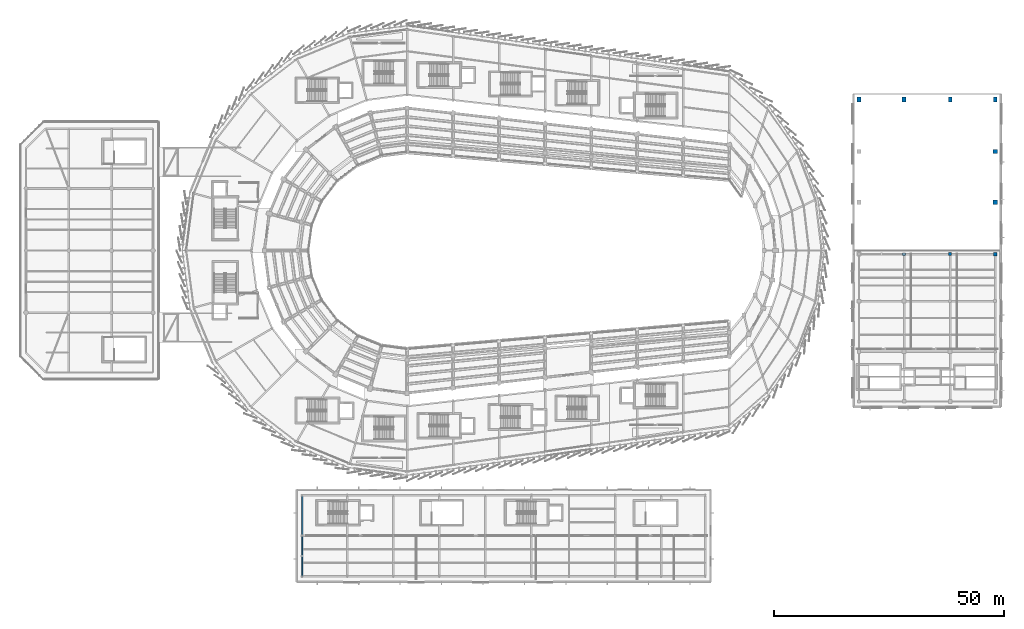
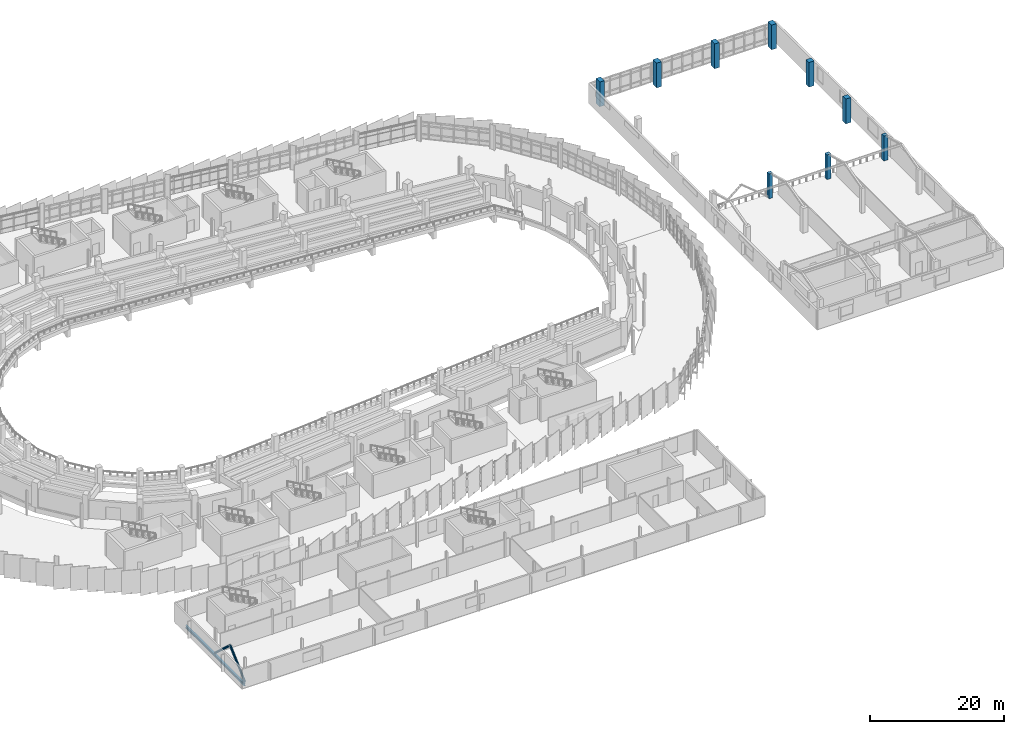
# One storey, part 23 of 120: 9 columns, 2 beams, 2 members.
"""IFC4 building model written with IfcOpenShell, lengths in metres."""

from ifc_helpers import new_model, si_unit, direction, frame, origin, origin_2d, place, context, subcontext, project, spatial, rectangle, hollow_circle, i_section, extrude, material, material_profile, profile_set, type_object, element, save


model = new_model("IFC4")

# Units and contexts
model_context = context("Model", 3, precision=1e-05, world=origin(), true_north=direction((0.0, 1.0)))
body_context = subcontext(model_context, "Body", "Model", "MODEL_VIEW")
ifc_project = project(units=[si_unit("LENGTHUNIT", "METRE"), si_unit("AREAUNIT", "SQUARE_METRE"), si_unit("VOLUMEUNIT", "CUBIC_METRE"), si_unit("PLANEANGLEUNIT", "RADIAN"), si_unit("MASSUNIT", "GRAM", prefix="KILO")], contexts=[model_context])

# Site, building, storey
site_placement = place(None, origin())
site = spatial("IfcSite", under=ifc_project, at=site_placement, CompositionType="ELEMENT")
building_placement = place(site_placement, origin())
building = spatial("IfcBuilding", under=site, at=building_placement, Name="Sohan Crest Arena", CompositionType="ELEMENT")
storey_placement = place(building_placement, frame((0.0, 0.0, 13.5)))
storey = spatial("IfcBuildingStorey", under=building, at=storey_placement, Name="L03", CompositionType="ELEMENT", Elevation=13.5)

# Columns
ifc_material_1 = material(Name="Concrete C40/50", Category="concrete")
ifc_material_profile_1 = material_profile(ifc_material_1, rectangle(XDim=0.60009765625, YDim=0.60009765625, at=origin_2d()), Name="RC 600x600")
ifc_profile_set_1 = profile_set([ifc_material_profile_1], Name="Concrete C40/50")
column_type_1 = type_object("IfcColumnType", Name="STR-COL-C01", PredefinedType="COLUMN", material=ifc_profile_set_1)
column_1_placement = place(storey_placement, frame((206.0, 77.199951171875, 0.0), z_axis=(0.0, 0.0, 1.0), x_axis=(1.0, 0.0, 0.0)))
element("IfcColumn", 1, at=column_1_placement, inside=storey, type_object=column_type_1, Name="Structural column COL-V4S-24-L03", PredefinedType="COLUMN", context=body_context, shape_type="SweptSolid", body=[
    extrude(rectangle(XDim=0.60009765625, YDim=0.60009765625, at=origin_2d()), origin(), (0.0, 0.0, 1.0), 4.5),
])
ifc_material_profile_2 = material_profile(ifc_material_1, rectangle(XDim=0.64990234375, YDim=0.64990234375, at=origin_2d()), Name="RC 650x650")
ifc_profile_set_2 = profile_set([ifc_material_profile_2], Name="Concrete C40/50")
column_type_2 = type_object("IfcColumnType", Name="STR-COL-C02", PredefinedType="COLUMN", material=ifc_profile_set_2)
column_2_placement = place(storey_placement, frame((216.0, 77.199951171875, 0.0), z_axis=(0.0, 0.0, 1.0), x_axis=(1.0, 0.0, 0.0)))
element("IfcColumn", 2, at=column_2_placement, inside=storey, type_object=column_type_2, Name="Structural column COL-V4S-34-L03", PredefinedType="COLUMN", context=body_context, shape_type="SweptSolid", body=[
    extrude(rectangle(XDim=0.64990234375, YDim=0.64990234375, at=origin_2d()), origin(), (0.0, 0.0, 1.0), 4.5),
])
ifc_material_profile_3 = material_profile(ifc_material_1, rectangle(XDim=0.699951171875, YDim=0.699951171875, at=origin_2d()), Name="RC 700x700")
ifc_profile_set_3 = profile_set([ifc_material_profile_3], Name="Concrete C40/50")
column_type_3 = type_object("IfcColumnType", Name="STR-COL-C03", PredefinedType="COLUMN", material=ifc_profile_set_3)
column_3_placement = place(storey_placement, frame((225.800048828125, 77.199951171875, 0.0), z_axis=(0.0, 0.0, 1.0), x_axis=(1.0, 0.0, 0.0)))
element("IfcColumn", 3, at=column_3_placement, inside=storey, type_object=column_type_3, Name="Structural column COL-V4S-44-L03", PredefinedType="COLUMN", context=body_context, shape_type="SweptSolid", body=[
    extrude(rectangle(XDim=0.699951171875, YDim=0.699951171875, at=origin_2d()), origin(), (0.0, 0.0, 1.0), 4.5),
])
ifc_material_profile_4 = material_profile(ifc_material_1, rectangle(XDim=0.89990234375, YDim=0.89990234375, at=origin_2d()), Name="RC 900x900")
ifc_profile_set_4 = profile_set([ifc_material_profile_4], Name="Concrete C40/50")
column_type_4 = type_object("IfcColumnType", Name="STR-COL-C07", PredefinedType="COLUMN", material=ifc_profile_set_4)
for number, where, z_axis, x_axis, name in (
    (4, (225.800048828125, 88.5, 0.0), (0.0, 0.0, 1.0), (1.0, 0.0, 0.0), "Structural column COL-V4G-E1-L03"),
    (5, (225.800048828125, 99.5, 0.0), (0.0, 0.0, 1.0), (1.0, 0.0, 0.0), "Structural column COL-V4G-E2-L03"),
):
    element("IfcColumn", number, at=place(storey_placement, frame(where, z_axis=z_axis, x_axis=x_axis)), inside=storey, type_object=column_type_4, Name=name, PredefinedType="COLUMN", context=body_context, shape_type="SweptSolid", body=[
        extrude(rectangle(XDim=0.89990234375, YDim=0.89990234375, at=origin_2d()), origin(), (0.0, 0.0, 1.0), 4.5),
    ])
ifc_material_profile_5 = material_profile(ifc_material_1, rectangle(XDim=1.10009765625, YDim=0.800048828125, at=origin_2d()), Name="RC 1100x800")
ifc_profile_set_5 = profile_set([ifc_material_profile_5], Name="Concrete C40/50")
column_type_5 = type_object("IfcColumnType", Name="STR-COL-C10", PredefinedType="COLUMN", material=ifc_profile_set_5)
for number, where, z_axis, x_axis, name in (
    (6, (196.199951171875, 110.800048828125, 0.0), (0.0, 0.0, 1.0), (0.0, 1.0, 0.0), "Structural column COL-V4N-1-L03"),
    (7, (206.0, 110.800048828125, 0.0), (0.0, 0.0, 1.0), (0.0, 1.0, 0.0), "Structural column COL-V4N-2-L03"),
    (8, (216.0, 110.800048828125, 0.0), (0.0, 0.0, 1.0), (0.0, 1.0, 0.0), "Structural column COL-V4N-3-L03"),
    (9, (225.800048828125, 110.800048828125, 0.0), (0.0, 0.0, 1.0), (0.0, 1.0, 0.0), "Structural column COL-V4N-4-L03"),
):
    element("IfcColumn", number, at=place(storey_placement, frame(where, z_axis=z_axis, x_axis=x_axis)), inside=storey, type_object=column_type_5, Name=name, PredefinedType="COLUMN", context=body_context, shape_type="SweptSolid", body=[
        extrude(rectangle(XDim=1.10009765625, YDim=0.800048828125, at=origin_2d()), origin(), (0.0, 0.0, 1.0), 4.5),
    ])

# Beams
ifc_material_2 = material(Name="Steel S355", Category="steel")
ifc_material_profile_6 = material_profile(ifc_material_2, i_section(OverallWidth=0.300048828125, OverallDepth=0.489990234375, WebThickness=0.011962890625, FlangeThickness=0.02294921875, at=origin_2d()), Name="HEA 500")
ifc_profile_set_6 = profile_set([ifc_material_profile_6], Name="Steel S355")
beam_type = type_object("IfcBeamType", Name="STR-BM-B10", PredefinedType="BEAM", material=ifc_profile_set_6)
for number, where, z_axis, x_axis, name in (
    (10, (75.199951171875, 7.199951171875, -0.4951171875), (0.0, 1.0, 0.0), (-1.0, 0.0, 0.0), "Structural beam G-L03-2699"),
    (11, (75.199951171875, 16.0, -0.4951171875), (0.0, 1.0, 0.0), (-1.0, 0.0, 0.0), "Structural beam G-L03-2700"),
):
    element("IfcBeam", number, at=place(storey_placement, frame(where, z_axis=z_axis, x_axis=x_axis)), inside=storey, type_object=beam_type, Name=name, PredefinedType="BEAM", context=body_context, shape_type="SweptSolid", body=[
        extrude(i_section(OverallWidth=0.300048828125, OverallDepth=0.489990234375, WebThickness=0.011962890625, FlangeThickness=0.02294921875, at=origin_2d()), origin(), (0.0, 0.0, 1.0), 8.800048828125),
    ])

# Members
ifc_material_profile_7 = material_profile(ifc_material_2, hollow_circle(Radius=0.177734375, WallThickness=0.01611328125, at=origin_2d()), Name="CHS 355.6x16")
ifc_profile_set_7 = profile_set([ifc_material_profile_7], Name="Steel S355")
member_type = type_object("IfcMemberType", Name="STR-MEM-BR04", PredefinedType="BRACE", material=ifc_profile_set_7)
member_1_placement = place(storey_placement, frame((75.199951171875, 7.199951171875, 0.0), z_axis=(0.0, 0.739951219704, 0.672660532854), x_axis=(-1.0, 0.0, 0.0)))
element("IfcMember", 12, at=member_1_placement, inside=storey, type_object=member_type, Name="BOH wing chevron brace BR-047", PredefinedType="BRACE", context=body_context, shape_type="SweptSolid", body=[
    extrude(hollow_circle(Radius=0.177734375, WallThickness=0.01611328125, at=origin_2d()), origin(), (0.0, 0.0, 1.0), 5.946533203125),
])
member_2_placement = place(storey_placement, frame((75.199951171875, 16.0, 0.0), z_axis=(0.0, -0.739932642186, 0.672680968237), x_axis=(1.0, 0.0, 0.0)))
element("IfcMember", 13, at=member_2_placement, inside=storey, type_object=member_type, Name="BOH wing chevron brace BR-048", PredefinedType="BRACE", context=body_context, shape_type="SweptSolid", body=[
    extrude(hollow_circle(Radius=0.177734375, WallThickness=0.01611328125, at=origin_2d()), origin(), (0.0, 0.0, 1.0), 5.9462890625),
])

save(model, "model.ifc")
